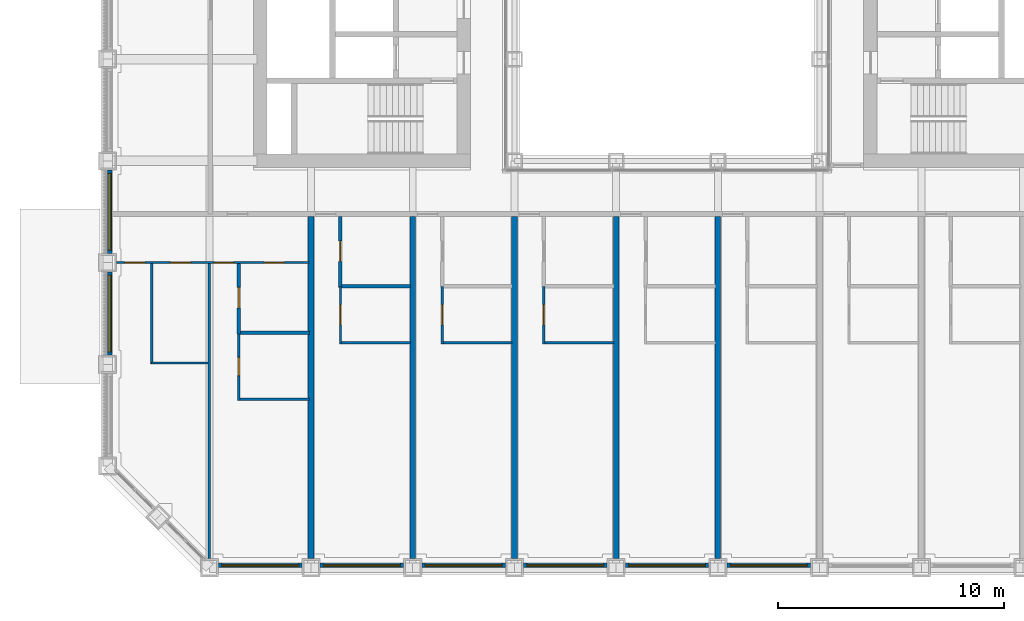
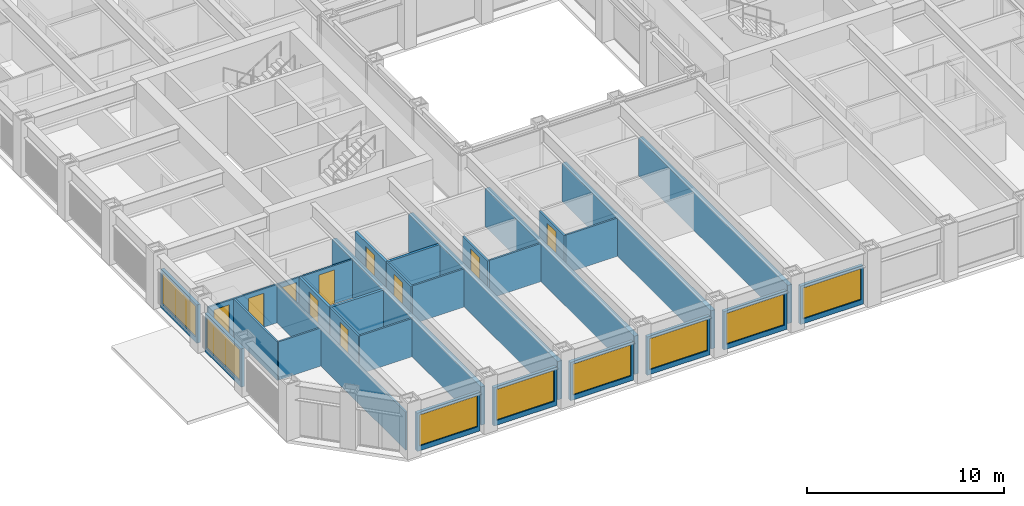
# One storey, part 12 of 24: 29 walls, 10 doors, 8 windows, 18 openings.
"""IFC4 building model written with IfcOpenShell, lengths in metres."""

from ifc_helpers import new_model, si_unit, direction, frame, frame_2d, origin, place, context, subcontext, project, spatial, rectangle, extrude, material, layer, layer_set, type_object, element, fill, save


model = new_model("IFC4")

# Units and contexts
model_context = context("Model", 3, precision=1e-05, world=origin(), true_north=direction((0.0, 1.0)))
body_context = subcontext(model_context, "Body", "Model", "MODEL_VIEW")
ifc_project = project(units=[si_unit("LENGTHUNIT", "METRE"), si_unit("AREAUNIT", "SQUARE_METRE"), si_unit("VOLUMEUNIT", "CUBIC_METRE"), si_unit("PLANEANGLEUNIT", "RADIAN"), si_unit("MASSUNIT", "GRAM", prefix="KILO")], contexts=[model_context])

# Site, building, storey
site_placement = place(None, origin())
site = spatial("IfcSite", under=ifc_project, at=site_placement, CompositionType="ELEMENT")
building_placement = place(site_placement, origin())
building = spatial("IfcBuilding", under=site, at=building_placement, Name="Msasa Ring Tower", CompositionType="ELEMENT")
storey_placement = place(building_placement, frame((0.0, 0.0, 26.5)))
storey = spatial("IfcBuildingStorey", under=building, at=storey_placement, Name="L05", CompositionType="ELEMENT", Elevation=26.5)

# Wall, opening, window
ifc_material_1 = material(Name="Terracotta rainscreen on blockwork", Category="masonry")
ifc_layer_1 = layer(ifc_material_1, 0.199951171875)
ifc_layer_set_1 = layer_set([ifc_layer_1], Name="FW1 TERRACOTTA-LINED INFILL BAY WALL 200")
wall_type_1 = type_object("IfcWallType", Name="FW1 TERRACOTTA-LINED INFILL BAY WALL 200", PredefinedType="SOLIDWALL", material=ifc_layer_set_1)
wall_1_placement = place(storey_placement, frame((-19.844970703125, -24.64990234375, 0.0), z_axis=(0.0, 0.0, 1.0), x_axis=(1.0, 0.0, 0.0)))
wall_1 = element("IfcWall", 1, at=wall_1_placement, inside=storey, type_object=wall_type_1, Name="Infill bay wall S L05 00", PredefinedType="SOLIDWALL", context=body_context, shape_type="SweptSolid", body=[
    extrude(rectangle(XDim=3.68994140625, YDim=0.199951171875, at=frame_2d((1.844970703125, 0.0))), origin(), (0.0, 0.0, 1.0), 2.37890625),
])
opening_1_placement = place(wall_1_placement, frame((0.14501953125, 0.0, 0.300048828125)))
opening_1 = element("IfcOpeningElement", 2, at=opening_1_placement, cuts=wall_1, Name="Opening WN1", PredefinedType="OPENING", context=body_context, shape_type="SweptSolid", body=[
    extrude(rectangle(XDim=3.39990234375, YDim=1.928955078125, at=frame_2d((1.699951171875, 0.96435546875))), frame((0.0, 0.10986328125, 0.0), z_axis=(0.0, -1.0, 0.0), x_axis=(1.0, 0.0, 0.0)), (0.0, 0.0, 1.0), 0.219970703125),
])
ifc_material_2 = material(Name="Aluminium frame with clear glass", Category="aluminium")
window_type = type_object("IfcWindowType", Name="WN1 RESIDENCE WINDOW 3400x1929", PartitioningType="SINGLE_PANEL", PredefinedType="WINDOW", material=ifc_material_2)
window_1_placement = place(opening_1_placement, origin())
window_1 = element("IfcWindow", 3, at=window_1_placement, inside=storey, type_object=window_type, Name="Window S L05 00", OverallHeight=1.928955078125, OverallWidth=3.39990234375, PartitioningType="SINGLE_PANEL", PredefinedType="WINDOW", context=body_context, shape_type="SweptSolid", body=[
    extrude(rectangle(XDim=3.39990234375, YDim=1.928955078125, at=frame_2d((1.699951171875, 0.96435546875))), frame((0.0, 0.030029296875, 0.0), z_axis=(0.0, -1.0, 0.0), x_axis=(1.0, 0.0, 0.0)), (0.0, 0.0, 1.0), 0.06005859375),
])
fill(opening_1, window_1)

wall_2_placement = place(storey_placement, frame((-15.344970703125, -24.64990234375, 0.0), z_axis=(0.0, 0.0, 1.0), x_axis=(1.0, 0.0, 0.0)))
wall_2 = element("IfcWall", 4, at=wall_2_placement, inside=storey, type_object=wall_type_1, Name="Infill bay wall S L05 01", PredefinedType="SOLIDWALL", context=body_context, shape_type="SweptSolid", body=[
    extrude(rectangle(XDim=3.68994140625, YDim=0.199951171875, at=frame_2d((1.844970703125, 0.0))), origin(), (0.0, 0.0, 1.0), 2.37890625),
])
opening_2_placement = place(wall_2_placement, frame((0.14501953125, 0.0, 0.300048828125)))
opening_2 = element("IfcOpeningElement", 5, at=opening_2_placement, cuts=wall_2, Name="Opening WN1", PredefinedType="OPENING", context=body_context, shape_type="SweptSolid", body=[
    extrude(rectangle(XDim=3.39990234375, YDim=1.928955078125, at=frame_2d((1.699951171875, 0.96435546875))), frame((0.0, 0.10986328125, 0.0), z_axis=(0.0, -1.0, 0.0), x_axis=(1.0, 0.0, 0.0)), (0.0, 0.0, 1.0), 0.219970703125),
])
window_2_placement = place(opening_2_placement, origin())
window_2 = element("IfcWindow", 6, at=window_2_placement, inside=storey, type_object=window_type, Name="Window S L05 01", OverallHeight=1.928955078125, OverallWidth=3.39990234375, PartitioningType="SINGLE_PANEL", PredefinedType="WINDOW", context=body_context, shape_type="SweptSolid", body=[
    extrude(rectangle(XDim=3.39990234375, YDim=1.928955078125, at=frame_2d((1.699951171875, 0.96435546875))), frame((0.0, 0.030029296875, 0.0), z_axis=(0.0, -1.0, 0.0), x_axis=(1.0, 0.0, 0.0)), (0.0, 0.0, 1.0), 0.06005859375),
])
fill(opening_2, window_2)

wall_3_placement = place(storey_placement, frame((-10.844970703125, -24.64990234375, 0.0), z_axis=(0.0, 0.0, 1.0), x_axis=(1.0, 0.0, 0.0)))
wall_3 = element("IfcWall", 7, at=wall_3_placement, inside=storey, type_object=wall_type_1, Name="Infill bay wall S L05 02", PredefinedType="SOLIDWALL", context=body_context, shape_type="SweptSolid", body=[
    extrude(rectangle(XDim=3.68994140625, YDim=0.199951171875, at=frame_2d((1.844970703125, 0.0))), origin(), (0.0, 0.0, 1.0), 2.37890625),
])
opening_3_placement = place(wall_3_placement, frame((0.14501953125, 0.0, 0.300048828125)))
opening_3 = element("IfcOpeningElement", 8, at=opening_3_placement, cuts=wall_3, Name="Opening WN1", PredefinedType="OPENING", context=body_context, shape_type="SweptSolid", body=[
    extrude(rectangle(XDim=3.39990234375, YDim=1.928955078125, at=frame_2d((1.699951171875, 0.96435546875))), frame((0.0, 0.10986328125, 0.0), z_axis=(0.0, -1.0, 0.0), x_axis=(1.0, 0.0, 0.0)), (0.0, 0.0, 1.0), 0.219970703125),
])
window_3_placement = place(opening_3_placement, origin())
window_3 = element("IfcWindow", 9, at=window_3_placement, inside=storey, type_object=window_type, Name="Window S L05 02", OverallHeight=1.928955078125, OverallWidth=3.39990234375, PartitioningType="SINGLE_PANEL", PredefinedType="WINDOW", context=body_context, shape_type="SweptSolid", body=[
    extrude(rectangle(XDim=3.39990234375, YDim=1.928955078125, at=frame_2d((1.699951171875, 0.96435546875))), frame((0.0, 0.030029296875, 0.0), z_axis=(0.0, -1.0, 0.0), x_axis=(1.0, 0.0, 0.0)), (0.0, 0.0, 1.0), 0.06005859375),
])
fill(opening_3, window_3)

wall_4_placement = place(storey_placement, frame((-6.344970703125, -24.64990234375, 0.0), z_axis=(0.0, 0.0, 1.0), x_axis=(1.0, 0.0, 0.0)))
wall_4 = element("IfcWall", 10, at=wall_4_placement, inside=storey, type_object=wall_type_1, Name="Infill bay wall S L05 03", PredefinedType="SOLIDWALL", context=body_context, shape_type="SweptSolid", body=[
    extrude(rectangle(XDim=3.68994140625, YDim=0.199951171875, at=frame_2d((1.844970703125, 0.0))), origin(), (0.0, 0.0, 1.0), 2.37890625),
])
opening_4_placement = place(wall_4_placement, frame((0.14501953125, 0.0, 0.300048828125)))
opening_4 = element("IfcOpeningElement", 11, at=opening_4_placement, cuts=wall_4, Name="Opening WN1", PredefinedType="OPENING", context=body_context, shape_type="SweptSolid", body=[
    extrude(rectangle(XDim=3.39990234375, YDim=1.928955078125, at=frame_2d((1.699951171875, 0.96435546875))), frame((0.0, 0.10986328125, 0.0), z_axis=(0.0, -1.0, 0.0), x_axis=(1.0, 0.0, 0.0)), (0.0, 0.0, 1.0), 0.219970703125),
])
window_4_placement = place(opening_4_placement, origin())
window_4 = element("IfcWindow", 12, at=window_4_placement, inside=storey, type_object=window_type, Name="Window S L05 03", OverallHeight=1.928955078125, OverallWidth=3.39990234375, PartitioningType="SINGLE_PANEL", PredefinedType="WINDOW", context=body_context, shape_type="SweptSolid", body=[
    extrude(rectangle(XDim=3.39990234375, YDim=1.928955078125, at=frame_2d((1.699951171875, 0.96435546875))), frame((0.0, 0.030029296875, 0.0), z_axis=(0.0, -1.0, 0.0), x_axis=(1.0, 0.0, 0.0)), (0.0, 0.0, 1.0), 0.06005859375),
])
fill(opening_4, window_4)

wall_5_placement = place(storey_placement, frame((-1.844970703125, -24.64990234375, 0.0), z_axis=(0.0, 0.0, 1.0), x_axis=(1.0, 0.0, 0.0)))
wall_5 = element("IfcWall", 13, at=wall_5_placement, inside=storey, type_object=wall_type_1, Name="Infill bay wall S L05 04", PredefinedType="SOLIDWALL", context=body_context, shape_type="SweptSolid", body=[
    extrude(rectangle(XDim=3.68994140625, YDim=0.199951171875, at=frame_2d((1.844970703125, 0.0))), origin(), (0.0, 0.0, 1.0), 2.37890625),
])
opening_5_placement = place(wall_5_placement, frame((0.14501953125, 0.0, 0.300048828125)))
opening_5 = element("IfcOpeningElement", 14, at=opening_5_placement, cuts=wall_5, Name="Opening WN1", PredefinedType="OPENING", context=body_context, shape_type="SweptSolid", body=[
    extrude(rectangle(XDim=3.39990234375, YDim=1.928955078125, at=frame_2d((1.699951171875, 0.96435546875))), frame((0.0, 0.10986328125, 0.0), z_axis=(0.0, -1.0, 0.0), x_axis=(1.0, 0.0, 0.0)), (0.0, 0.0, 1.0), 0.219970703125),
])
window_5_placement = place(opening_5_placement, origin())
window_5 = element("IfcWindow", 15, at=window_5_placement, inside=storey, type_object=window_type, Name="Window S L05 04", OverallHeight=1.928955078125, OverallWidth=3.39990234375, PartitioningType="SINGLE_PANEL", PredefinedType="WINDOW", context=body_context, shape_type="SweptSolid", body=[
    extrude(rectangle(XDim=3.39990234375, YDim=1.928955078125, at=frame_2d((1.699951171875, 0.96435546875))), frame((0.0, 0.030029296875, 0.0), z_axis=(0.0, -1.0, 0.0), x_axis=(1.0, 0.0, 0.0)), (0.0, 0.0, 1.0), 0.06005859375),
])
fill(opening_5, window_5)

wall_6_placement = place(storey_placement, frame((2.655029296875, -24.64990234375, 0.0), z_axis=(0.0, 0.0, 1.0), x_axis=(1.0, 0.0, 0.0)))
wall_6 = element("IfcWall", 16, at=wall_6_placement, inside=storey, type_object=wall_type_1, Name="Infill bay wall S L05 05", PredefinedType="SOLIDWALL", context=body_context, shape_type="SweptSolid", body=[
    extrude(rectangle(XDim=3.68994140625, YDim=0.199951171875, at=frame_2d((1.844970703125, 0.0))), origin(), (0.0, 0.0, 1.0), 2.37890625),
])
opening_6_placement = place(wall_6_placement, frame((0.14501953125, 0.0, 0.300048828125)))
opening_6 = element("IfcOpeningElement", 17, at=opening_6_placement, cuts=wall_6, Name="Opening WN1", PredefinedType="OPENING", context=body_context, shape_type="SweptSolid", body=[
    extrude(rectangle(XDim=3.39990234375, YDim=1.928955078125, at=frame_2d((1.699951171875, 0.96435546875))), frame((0.0, 0.10986328125, 0.0), z_axis=(0.0, -1.0, 0.0), x_axis=(1.0, 0.0, 0.0)), (0.0, 0.0, 1.0), 0.219970703125),
])
window_6_placement = place(opening_6_placement, origin())
window_6 = element("IfcWindow", 18, at=window_6_placement, inside=storey, type_object=window_type, Name="Window S L05 05", OverallHeight=1.928955078125, OverallWidth=3.39990234375, PartitioningType="SINGLE_PANEL", PredefinedType="WINDOW", context=body_context, shape_type="SweptSolid", body=[
    extrude(rectangle(XDim=3.39990234375, YDim=1.928955078125, at=frame_2d((1.699951171875, 0.96435546875))), frame((0.0, 0.030029296875, 0.0), z_axis=(0.0, -1.0, 0.0), x_axis=(1.0, 0.0, 0.0)), (0.0, 0.0, 1.0), 0.06005859375),
])
fill(opening_6, window_6)

wall_7_placement = place(storey_placement, frame((-24.64990234375, -15.344970703125, 0.0), z_axis=(0.0, 0.0, 1.0), x_axis=(0.0, 1.0, 0.0)))
wall_7 = element("IfcWall", 19, at=wall_7_placement, inside=storey, type_object=wall_type_1, Name="Infill bay wall W L05 34", PredefinedType="SOLIDWALL", context=body_context, shape_type="SweptSolid", body=[
    extrude(rectangle(XDim=3.68994140625, YDim=0.199951171875, at=frame_2d((1.844970703125, 0.0))), origin(), (0.0, 0.0, 1.0), 2.37890625),
])
opening_7_placement = place(wall_7_placement, frame((0.14501953125, 0.0, 0.300048828125)))
opening_7 = element("IfcOpeningElement", 20, at=opening_7_placement, cuts=wall_7, Name="Opening WN1", PredefinedType="OPENING", context=body_context, shape_type="SweptSolid", body=[
    extrude(rectangle(XDim=3.39990234375, YDim=1.928955078125, at=frame_2d((1.699951171875, 0.96435546875))), frame((0.0, 0.10986328125, 0.0), z_axis=(0.0, -1.0, 0.0), x_axis=(1.0, 0.0, 0.0)), (0.0, 0.0, 1.0), 0.219970703125),
])
window_7_placement = place(opening_7_placement, origin())
window_7 = element("IfcWindow", 21, at=window_7_placement, inside=storey, type_object=window_type, Name="Window W L05 34", OverallHeight=1.928955078125, OverallWidth=3.39990234375, PartitioningType="SINGLE_PANEL", PredefinedType="WINDOW", context=body_context, shape_type="SweptSolid", body=[
    extrude(rectangle(XDim=3.39990234375, YDim=1.928955078125, at=frame_2d((1.699951171875, 0.96435546875))), frame((0.0, 0.030029296875, 0.0), z_axis=(0.0, -1.0, 0.0), x_axis=(1.0, 0.0, 0.0)), (0.0, 0.0, 1.0), 0.06005859375),
])
fill(opening_7, window_7)

wall_8_placement = place(storey_placement, frame((-24.64990234375, -10.844970703125, 0.0), z_axis=(0.0, 0.0, 1.0), x_axis=(0.0, 1.0, 0.0)))
wall_8 = element("IfcWall", 22, at=wall_8_placement, inside=storey, type_object=wall_type_1, Name="Infill bay wall W L05 35", PredefinedType="SOLIDWALL", context=body_context, shape_type="SweptSolid", body=[
    extrude(rectangle(XDim=3.68994140625, YDim=0.199951171875, at=frame_2d((1.844970703125, 0.0))), origin(), (0.0, 0.0, 1.0), 2.37890625),
])
opening_8_placement = place(wall_8_placement, frame((0.14501953125, 0.0, 0.300048828125)))
opening_8 = element("IfcOpeningElement", 23, at=opening_8_placement, cuts=wall_8, Name="Opening WN1", PredefinedType="OPENING", context=body_context, shape_type="SweptSolid", body=[
    extrude(rectangle(XDim=3.39990234375, YDim=1.928955078125, at=frame_2d((1.699951171875, 0.96435546875))), frame((0.0, 0.10986328125, 0.0), z_axis=(0.0, -1.0, 0.0), x_axis=(1.0, 0.0, 0.0)), (0.0, 0.0, 1.0), 0.219970703125),
])
window_8_placement = place(opening_8_placement, origin())
window_8 = element("IfcWindow", 24, at=window_8_placement, inside=storey, type_object=window_type, Name="Window W L05 35", OverallHeight=1.928955078125, OverallWidth=3.39990234375, PartitioningType="SINGLE_PANEL", PredefinedType="WINDOW", context=body_context, shape_type="SweptSolid", body=[
    extrude(rectangle(XDim=3.39990234375, YDim=1.928955078125, at=frame_2d((1.699951171875, 0.96435546875))), frame((0.0, 0.030029296875, 0.0), z_axis=(0.0, -1.0, 0.0), x_axis=(1.0, 0.0, 0.0)), (0.0, 0.0, 1.0), 0.06005859375),
])
fill(opening_8, window_8)

# Wall, openings, doors
ifc_material_3 = material(Name="Gypsum board on steel studs", Category="steel")
ifc_layer_2 = layer(ifc_material_3, 0.10009765625)
ifc_layer_set_2 = layer_set([ifc_layer_2], Name="PT2 STUD PARTITION 100")
wall_type_2 = type_object("IfcWallType", Name="PT2 STUD PARTITION 100", PredefinedType="PARTITIONING", material=ifc_layer_set_2)
wall_9_placement = place(storey_placement, frame((-24.35009765625, -11.25, 0.0), z_axis=(0.0, 0.0, 1.0), x_axis=(1.0, 0.0, 0.0)))
wall_9 = element("IfcWall", 25, at=wall_9_placement, inside=storey, type_object=wall_type_2, Name="Partition L05-US00HY", PredefinedType="PARTITIONING", context=body_context, shape_type="SweptSolid", body=[
    extrude(rectangle(XDim=8.5, YDim=0.10009765625, at=frame_2d((4.25, 0.0))), origin(), (0.0, 0.0, 1.0), 2.373291015625),
])
opening_9_placement = place(wall_9_placement, frame((2.375, 0.0, 0.0)))
opening_9 = element("IfcOpeningElement", 26, at=opening_9_placement, cuts=wall_9, Name="Opening RA-068", PredefinedType="OPENING", context=body_context, shape_type="SweptSolid", body=[
    extrude(rectangle(XDim=0.89990234375, YDim=2.10009765625, at=frame_2d((0.449951171875, 1.050048828125))), frame((0.0, 0.06005859375, 0.0), z_axis=(0.0, -1.0, 0.0), x_axis=(1.0, 0.0, 0.0)), (0.0, 0.0, 1.0), 0.1201171875),
])
opening_10_placement = place(wall_9_placement, frame((0.35009765625, 0.0, 0.0)))
opening_10 = element("IfcOpeningElement", 27, at=opening_10_placement, cuts=wall_9, Name="Opening RA-067", PredefinedType="OPENING", context=body_context, shape_type="SweptSolid", body=[
    extrude(rectangle(XDim=0.89990234375, YDim=2.10009765625, at=frame_2d((0.449951171875, 1.050048828125))), frame((0.0, 0.06005859375, 0.0), z_axis=(0.0, -1.0, 0.0), x_axis=(1.0, 0.0, 0.0)), (0.0, 0.0, 1.0), 0.1201171875),
])
opening_11_placement = place(wall_9_placement, frame((4.324951171875, 0.0, 0.0)))
opening_11 = element("IfcOpeningElement", 28, at=opening_11_placement, cuts=wall_9, Name="Opening RA-069", PredefinedType="OPENING", context=body_context, shape_type="SweptSolid", body=[
    extrude(rectangle(XDim=0.85009765625, YDim=2.10009765625, at=frame_2d((0.425048828125, 1.050048828125))), frame((0.0, 0.06005859375, 0.0), z_axis=(0.0, -1.0, 0.0), x_axis=(1.0, 0.0, 0.0)), (0.0, 0.0, 1.0), 0.1201171875),
])
opening_12_placement = place(wall_9_placement, frame((6.52001953125, 0.0, 0.0)))
opening_12 = element("IfcOpeningElement", 29, at=opening_12_placement, cuts=wall_9, Name="Opening RA-070", PredefinedType="OPENING", context=body_context, shape_type="SweptSolid", body=[
    extrude(rectangle(XDim=0.89990234375, YDim=2.10009765625, at=frame_2d((0.449951171875, 1.050048828125))), frame((0.0, 0.06005859375, 0.0), z_axis=(0.0, -1.0, 0.0), x_axis=(1.0, 0.0, 0.0)), (0.0, 0.0, 1.0), 0.1201171875),
])
ifc_material_4 = material(Name="Timber door leaf in a steel frame", Category="steel")
door_type_1 = type_object("IfcDoorType", Name="D14 BEDROOM DOOR 850x2100", OperationType="SINGLE_SWING_LEFT", PredefinedType="DOOR", material=ifc_material_4)
door_1_placement = place(opening_11_placement, origin())
door_1 = element("IfcDoor", 30, at=door_1_placement, inside=storey, type_object=door_type_1, Name="Door L05-US00R1", OperationType="SINGLE_SWING_RIGHT", OverallHeight=2.10009765625, OverallWidth=0.85009765625, PredefinedType="DOOR", context=body_context, shape_type="SweptSolid", body=[
    extrude(rectangle(XDim=0.85009765625, YDim=2.10009765625, at=frame_2d((0.425048828125, 1.050048828125))), frame((0.0, 0.02490234375, 0.0), z_axis=(0.0, -1.0, 0.0), x_axis=(1.0, 0.0, 0.0)), (0.0, 0.0, 1.0), 0.050048828125),
])
fill(opening_11, door_1)
ifc_material_5 = material(Name="Timber door leaf in a steel frame", Category="steel")
door_type_2 = type_object("IfcDoorType", Name="D22 INTERNAL HALL DOOR 900x2100", OperationType="SINGLE_SWING_LEFT", PredefinedType="DOOR", material=ifc_material_5)
door_2_placement = place(opening_9_placement, origin())
door_2 = element("IfcDoor", 31, at=door_2_placement, inside=storey, type_object=door_type_2, Name="Door L05-US00K", OperationType="SINGLE_SWING_LEFT", OverallHeight=2.10009765625, OverallWidth=0.89990234375, PredefinedType="DOOR", context=body_context, shape_type="SweptSolid", body=[
    extrude(rectangle(XDim=0.89990234375, YDim=2.10009765625, at=frame_2d((0.449951171875, 1.050048828125))), frame((0.0, 0.02490234375, 0.0), z_axis=(0.0, -1.0, 0.0), x_axis=(1.0, 0.0, 0.0)), (0.0, 0.0, 1.0), 0.050048828125),
])
fill(opening_9, door_2)
door_3_placement = place(opening_10_placement, origin())
door_3 = element("IfcDoor", 32, at=door_3_placement, inside=storey, type_object=door_type_2, Name="Door L05-US00L", OperationType="SINGLE_SWING_LEFT", OverallHeight=2.10009765625, OverallWidth=0.89990234375, PredefinedType="DOOR", context=body_context, shape_type="SweptSolid", body=[
    extrude(rectangle(XDim=0.89990234375, YDim=2.10009765625, at=frame_2d((0.449951171875, 1.050048828125))), frame((0.0, 0.02490234375, 0.0), z_axis=(0.0, -1.0, 0.0), x_axis=(1.0, 0.0, 0.0)), (0.0, 0.0, 1.0), 0.050048828125),
])
fill(opening_10, door_3)
ifc_material_6 = material(Name="Timber door leaf in a steel frame", Category="steel")
door_type_3 = type_object("IfcDoorType", Name="D3 BATHROOM DOOR 900x2100", OperationType="SINGLE_SWING_LEFT", PredefinedType="DOOR", material=ifc_material_6)
door_4_placement = place(opening_12_placement, origin())
door_4 = element("IfcDoor", 33, at=door_4_placement, inside=storey, type_object=door_type_3, Name="Door L05-US00BH1", OperationType="SINGLE_SWING_RIGHT", OverallHeight=2.10009765625, OverallWidth=0.89990234375, PredefinedType="DOOR", context=body_context, shape_type="SweptSolid", body=[
    extrude(rectangle(XDim=0.89990234375, YDim=2.10009765625, at=frame_2d((0.449951171875, 1.050048828125))), frame((0.0, 0.02490234375, 0.0), z_axis=(0.0, -1.0, 0.0), x_axis=(1.0, 0.0, 0.0)), (0.0, 0.0, 1.0), 0.050048828125),
])
fill(opening_12, door_4)

# Walls
wall_10_placement = place(storey_placement, frame((-22.800048828125, -15.7421875, 0.0), z_axis=(0.0, 0.0, 1.0), x_axis=(0.0, 1.0, 0.0)))
element("IfcWall", 34, at=wall_10_placement, inside=storey, type_object=wall_type_2, Name="Partition L05-US00KX", PredefinedType="PARTITIONING", context=body_context, shape_type="SweptSolid", body=[
    extrude(rectangle(XDim=4.442138671875, YDim=0.10009765625, at=frame_2d((2.22119140625, 0.0))), origin(), (0.0, 0.0, 1.0), 2.373291015625),
])
wall_11_placement = place(storey_placement, frame((-22.800048828125, -15.692138671875, 0.0), z_axis=(0.0, 0.0, 1.0), x_axis=(1.0, 0.0, 0.0)))
element("IfcWall", 35, at=wall_11_placement, inside=storey, type_object=wall_type_2, Name="Partition L05-US00KY", PredefinedType="PARTITIONING", context=body_context, shape_type="SweptSolid", body=[
    extrude(rectangle(XDim=2.5, YDim=0.10009765625, at=frame_2d((1.25, 0.0))), origin(), (0.0, 0.0, 1.0), 2.373291015625),
])
wall_12_placement = place(storey_placement, frame((-20.25, -24.35009765625, 0.0), z_axis=(0.0, 0.0, 1.0), x_axis=(0.0, 1.0, 0.0)))
element("IfcWall", 36, at=wall_12_placement, inside=storey, type_object=wall_type_2, Name="Partition L05-US00P1", PredefinedType="PARTITIONING", context=body_context, shape_type="SweptSolid", body=[
    extrude(rectangle(XDim=13.050048828125, YDim=0.10009765625, at=frame_2d((6.52490234375, 0.0))), origin(), (0.0, 0.0, 1.0), 2.373291015625),
])

# Wall, opening, door
wall_13_placement = place(storey_placement, frame((-18.949951171875, -17.3408203125, 0.0), z_axis=(0.0, 0.0, 1.0), x_axis=(0.0, 1.0, 0.0)))
wall_13 = element("IfcWall", 37, at=wall_13_placement, inside=storey, type_object=wall_type_2, Name="Partition L05-US00WX1", PredefinedType="PARTITIONING", context=body_context, shape_type="SweptSolid", body=[
    extrude(rectangle(XDim=2.94091796875, YDim=0.10009765625, at=frame_2d((1.470458984375, 0.0))), origin(), (0.0, 0.0, 1.0), 2.373291015625),
])
opening_13_placement = place(wall_13_placement, frame((1.095458984375, 0.0, 0.0)))
opening_13 = element("IfcOpeningElement", 38, at=opening_13_placement, cuts=wall_13, Name="Opening RA-084", PredefinedType="OPENING", context=body_context, shape_type="SweptSolid", body=[
    extrude(rectangle(XDim=0.800048828125, YDim=2.10009765625, at=frame_2d((0.39990234375, 1.050048828125))), frame((0.0, 0.06005859375, 0.0), z_axis=(0.0, -1.0, 0.0), x_axis=(1.0, 0.0, 0.0)), (0.0, 0.0, 1.0), 0.1201171875),
])
ifc_material_7 = material(Name="Timber door leaf in a steel frame", Category="steel")
door_type_4 = type_object("IfcDoorType", Name="D60 DRESSING ROOM DOOR 800x2100", OperationType="SINGLE_SWING_LEFT", PredefinedType="DOOR", material=ifc_material_7)
door_5_placement = place(opening_13_placement, origin())
door_5 = element("IfcDoor", 39, at=door_5_placement, inside=storey, type_object=door_type_4, Name="Door L05-US00W1", OperationType="SINGLE_SWING_LEFT", OverallHeight=2.10009765625, OverallWidth=0.800048828125, PredefinedType="DOOR", context=body_context, shape_type="SweptSolid", body=[
    extrude(rectangle(XDim=0.800048828125, YDim=2.10009765625, at=frame_2d((0.39990234375, 1.050048828125))), frame((0.0, 0.02490234375, 0.0), z_axis=(0.0, -1.0, 0.0), x_axis=(1.0, 0.0, 0.0)), (0.0, 0.0, 1.0), 0.050048828125),
])
fill(opening_13, door_5)

# Walls
wall_14_placement = place(storey_placement, frame((-18.949951171875, -17.291015625, 0.0), z_axis=(0.0, 0.0, 1.0), x_axis=(1.0, 0.0, 0.0)))
element("IfcWall", 40, at=wall_14_placement, inside=storey, type_object=wall_type_2, Name="Partition L05-US00WY1", PredefinedType="PARTITIONING", context=body_context, shape_type="SweptSolid", body=[
    extrude(rectangle(XDim=3.139892578125, YDim=0.10009765625, at=frame_2d((1.56982421875, 0.0))), origin(), (0.0, 0.0, 1.0), 2.373291015625),
])
wall_15_placement = place(storey_placement, frame((-14.39990234375, -14.800048828125, 0.0), z_axis=(0.0, 0.0, 1.0), x_axis=(1.0, 0.0, 0.0)))
element("IfcWall", 41, at=wall_15_placement, inside=storey, type_object=wall_type_2, Name="Partition L05-US01KY", PredefinedType="PARTITIONING", context=body_context, shape_type="SweptSolid", body=[
    extrude(rectangle(XDim=3.0498046875, YDim=0.10009765625, at=frame_2d((1.52490234375, 0.0))), origin(), (0.0, 0.0, 1.0), 2.373291015625),
])

# Wall, opening, door
wall_16_placement = place(storey_placement, frame((-14.449951171875, -14.85009765625, 0.0), z_axis=(0.0, 0.0, 1.0), x_axis=(0.0, 1.0, 0.0)))
wall_16 = element("IfcWall", 42, at=wall_16_placement, inside=storey, type_object=wall_type_2, Name="Partition L05-US01KX", PredefinedType="PARTITIONING", context=body_context, shape_type="SweptSolid", body=[
    extrude(rectangle(XDim=2.550048828125, YDim=0.10009765625, at=frame_2d((1.27490234375, 0.0))), origin(), (0.0, 0.0, 1.0), 2.373291015625),
])
opening_14_placement = place(wall_16_placement, frame((0.840087890625, 0.0, 0.0)))
opening_14 = element("IfcOpeningElement", 43, at=opening_14_placement, cuts=wall_16, Name="Opening RA-077", PredefinedType="OPENING", context=body_context, shape_type="SweptSolid", body=[
    extrude(rectangle(XDim=0.89990234375, YDim=2.10009765625, at=frame_2d((0.449951171875, 1.050048828125))), frame((0.0, 0.06005859375, 0.0), z_axis=(0.0, -1.0, 0.0), x_axis=(1.0, 0.0, 0.0)), (0.0, 0.0, 1.0), 0.1201171875),
])
door_6_placement = place(opening_14_placement, origin())
door_6 = element("IfcDoor", 44, at=door_6_placement, inside=storey, type_object=door_type_2, Name="Door L05-US01K", OperationType="SINGLE_SWING_LEFT", OverallHeight=2.10009765625, OverallWidth=0.89990234375, PredefinedType="DOOR", context=body_context, shape_type="SweptSolid", body=[
    extrude(rectangle(XDim=0.89990234375, YDim=2.10009765625, at=frame_2d((0.449951171875, 1.050048828125))), frame((0.0, 0.02490234375, 0.0), z_axis=(0.0, -1.0, 0.0), x_axis=(1.0, 0.0, 0.0)), (0.0, 0.0, 1.0), 0.050048828125),
])
fill(opening_14, door_6)

# Wall
wall_17_placement = place(storey_placement, frame((-9.89990234375, -14.800048828125, 0.0), z_axis=(0.0, 0.0, 1.0), x_axis=(1.0, 0.0, 0.0)))
element("IfcWall", 45, at=wall_17_placement, inside=storey, type_object=wall_type_2, Name="Partition L05-US02KY", PredefinedType="PARTITIONING", context=body_context, shape_type="SweptSolid", body=[
    extrude(rectangle(XDim=3.0498046875, YDim=0.10009765625, at=frame_2d((1.52490234375, 0.0))), origin(), (0.0, 0.0, 1.0), 2.373291015625),
])

# Wall, opening, door
wall_18_placement = place(storey_placement, frame((-9.949951171875, -14.85009765625, 0.0), z_axis=(0.0, 0.0, 1.0), x_axis=(0.0, 1.0, 0.0)))
wall_18 = element("IfcWall", 46, at=wall_18_placement, inside=storey, type_object=wall_type_2, Name="Partition L05-US02KX", PredefinedType="PARTITIONING", context=body_context, shape_type="SweptSolid", body=[
    extrude(rectangle(XDim=2.550048828125, YDim=0.10009765625, at=frame_2d((1.27490234375, 0.0))), origin(), (0.0, 0.0, 1.0), 2.373291015625),
])
opening_15_placement = place(wall_18_placement, frame((0.840087890625, 0.0, 0.0)))
opening_15 = element("IfcOpeningElement", 47, at=opening_15_placement, cuts=wall_18, Name="Opening RA-078", PredefinedType="OPENING", context=body_context, shape_type="SweptSolid", body=[
    extrude(rectangle(XDim=0.89990234375, YDim=2.10009765625, at=frame_2d((0.449951171875, 1.050048828125))), frame((0.0, 0.06005859375, 0.0), z_axis=(0.0, -1.0, 0.0), x_axis=(1.0, 0.0, 0.0)), (0.0, 0.0, 1.0), 0.1201171875),
])
door_7_placement = place(opening_15_placement, origin())
door_7 = element("IfcDoor", 48, at=door_7_placement, inside=storey, type_object=door_type_2, Name="Door L05-US02K", OperationType="SINGLE_SWING_LEFT", OverallHeight=2.10009765625, OverallWidth=0.89990234375, PredefinedType="DOOR", context=body_context, shape_type="SweptSolid", body=[
    extrude(rectangle(XDim=0.89990234375, YDim=2.10009765625, at=frame_2d((0.449951171875, 1.050048828125))), frame((0.0, 0.02490234375, 0.0), z_axis=(0.0, -1.0, 0.0), x_axis=(1.0, 0.0, 0.0)), (0.0, 0.0, 1.0), 0.050048828125),
])
fill(opening_15, door_7)

# Wall
wall_19_placement = place(storey_placement, frame((-5.39990234375, -14.800048828125, 0.0), z_axis=(0.0, 0.0, 1.0), x_axis=(1.0, 0.0, 0.0)))
element("IfcWall", 49, at=wall_19_placement, inside=storey, type_object=wall_type_2, Name="Partition L05-US03KY", PredefinedType="PARTITIONING", context=body_context, shape_type="SweptSolid", body=[
    extrude(rectangle(XDim=3.0498046875, YDim=0.10009765625, at=frame_2d((1.52490234375, 0.0))), origin(), (0.0, 0.0, 1.0), 2.373291015625),
])

# Wall, opening, door
wall_20_placement = place(storey_placement, frame((-5.449951171875, -14.85009765625, 0.0), z_axis=(0.0, 0.0, 1.0), x_axis=(0.0, 1.0, 0.0)))
wall_20 = element("IfcWall", 50, at=wall_20_placement, inside=storey, type_object=wall_type_2, Name="Partition L05-US03KX", PredefinedType="PARTITIONING", context=body_context, shape_type="SweptSolid", body=[
    extrude(rectangle(XDim=2.550048828125, YDim=0.10009765625, at=frame_2d((1.27490234375, 0.0))), origin(), (0.0, 0.0, 1.0), 2.373291015625),
])
opening_16_placement = place(wall_20_placement, frame((0.840087890625, 0.0, 0.0)))
opening_16 = element("IfcOpeningElement", 51, at=opening_16_placement, cuts=wall_20, Name="Opening RA-079", PredefinedType="OPENING", context=body_context, shape_type="SweptSolid", body=[
    extrude(rectangle(XDim=0.89990234375, YDim=2.10009765625, at=frame_2d((0.449951171875, 1.050048828125))), frame((0.0, 0.06005859375, 0.0), z_axis=(0.0, -1.0, 0.0), x_axis=(1.0, 0.0, 0.0)), (0.0, 0.0, 1.0), 0.1201171875),
])
door_8_placement = place(opening_16_placement, origin())
door_8 = element("IfcDoor", 52, at=door_8_placement, inside=storey, type_object=door_type_2, Name="Door L05-US03K", OperationType="SINGLE_SWING_LEFT", OverallHeight=2.10009765625, OverallWidth=0.89990234375, PredefinedType="DOOR", context=body_context, shape_type="SweptSolid", body=[
    extrude(rectangle(XDim=0.89990234375, YDim=2.10009765625, at=frame_2d((0.449951171875, 1.050048828125))), frame((0.0, 0.02490234375, 0.0), z_axis=(0.0, -1.0, 0.0), x_axis=(1.0, 0.0, 0.0)), (0.0, 0.0, 1.0), 0.050048828125),
])
fill(opening_16, door_8)

# Walls
ifc_material_8 = material(Name="Dense concrete blockwork, plastered both faces", Category="masonry")
ifc_layer_3 = layer(ifc_material_8, 0.25)
ifc_layer_set_3 = layer_set([ifc_layer_3], Name="PT3 APARTMENT SEPARATING WALL 250")
wall_type_3 = type_object("IfcWallType", Name="PT3 APARTMENT SEPARATING WALL 250", PredefinedType="PARTITIONING", material=ifc_layer_set_3)
for number, where, z_axis, x_axis, name in (
    (53, (-15.75, -24.35009765625, 0.0), (0.0, 0.0, 1.0), (0.0, 1.0, 0.0), "Party wall L05-PWS-15.75"),
    (54, (-11.25, -24.35009765625, 0.0), (0.0, 0.0, 1.0), (0.0, 1.0, 0.0), "Party wall L05-PWS-11.25"),
    (55, (-6.75, -24.35009765625, 0.0), (0.0, 0.0, 1.0), (0.0, 1.0, 0.0), "Party wall L05-PWS-6.75"),
    (56, (-2.25, -24.35009765625, 0.0), (0.0, 0.0, 1.0), (0.0, 1.0, 0.0), "Party wall L05-PWS-2.25"),
    (57, (2.25, -24.35009765625, 0.0), (0.0, 0.0, 1.0), (0.0, 1.0, 0.0), "Party wall L05-PWS+2.25"),
):
    element("IfcWall", number, at=place(storey_placement, frame(where, z_axis=z_axis, x_axis=x_axis)), inside=storey, type_object=wall_type_3, Name=name, PredefinedType="PARTITIONING", context=body_context, shape_type="SweptSolid", body=[
        extrude(rectangle(XDim=15.150146484375, YDim=0.25, at=frame_2d((7.5751953125, 0.0))), origin(), (0.0, 0.0, 1.0), 2.373291015625),
    ])

# Wall, opening, door
ifc_material_9 = material(Name="Moisture-resistant board on steel studs with a concealed cistern and pipe void, tiled", Category="steel")
ifc_layer_4 = layer(ifc_material_9, 0.14990234375)
ifc_layer_set_4 = layer_set([ifc_layer_4], Name="PT4 BATHROOM WET WALL 150")
wall_type_4 = type_object("IfcWallType", Name="PT4 BATHROOM WET WALL 150", PredefinedType="PARTITIONING", material=ifc_layer_set_4)
wall_21_placement = place(storey_placement, frame((-18.949951171875, -14.39990234375, 0.0), z_axis=(0.0, 0.0, 1.0), x_axis=(0.0, 1.0, 0.0)))
wall_21 = element("IfcWall", 58, at=wall_21_placement, inside=storey, type_object=wall_type_4, Name="Partition L05-US00BX1", PredefinedType="PARTITIONING", context=body_context, shape_type="SweptSolid", body=[
    extrude(rectangle(XDim=3.099853515625, YDim=0.14990234375, at=frame_2d((1.5498046875, 0.0))), origin(), (0.0, 0.0, 1.0), 2.373291015625),
])
opening_17_placement = place(wall_21_placement, frame((1.14990234375, 0.0, 0.0)))
opening_17 = element("IfcOpeningElement", 59, at=opening_17_placement, cuts=wall_21, Name="Opening RA-075", PredefinedType="OPENING", context=body_context, shape_type="SweptSolid", body=[
    extrude(rectangle(XDim=0.89990234375, YDim=2.10009765625, at=frame_2d((0.449951171875, 1.050048828125))), frame((0.0, 0.0849609375, 0.0), z_axis=(0.0, -1.0, 0.0), x_axis=(1.0, 0.0, 0.0)), (0.0, 0.0, 1.0), 0.169921875),
])
door_9_placement = place(opening_17_placement, origin())
door_9 = element("IfcDoor", 60, at=door_9_placement, inside=storey, type_object=door_type_3, Name="Door L05-US00B1", OperationType="SINGLE_SWING_RIGHT", OverallHeight=2.10009765625, OverallWidth=0.89990234375, PredefinedType="DOOR", context=body_context, shape_type="SweptSolid", body=[
    extrude(rectangle(XDim=0.89990234375, YDim=2.10009765625, at=frame_2d((0.449951171875, 1.050048828125))), frame((0.0, 0.02490234375, 0.0), z_axis=(0.0, -1.0, 0.0), x_axis=(1.0, 0.0, 0.0)), (0.0, 0.0, 1.0), 0.050048828125),
])
fill(opening_17, door_9)

# Wall
wall_22_placement = place(storey_placement, frame((-18.949951171875, -14.35009765625, 0.0), z_axis=(0.0, 0.0, 1.0), x_axis=(1.0, 0.0, 0.0)))
element("IfcWall", 61, at=wall_22_placement, inside=storey, type_object=wall_type_4, Name="Partition L05-US00BY1", PredefinedType="PARTITIONING", context=body_context, shape_type="SweptSolid", body=[
    extrude(rectangle(XDim=3.139892578125, YDim=0.14990234375, at=frame_2d((1.56982421875, 0.0))), origin(), (0.0, 0.0, 1.0), 2.373291015625),
])

# Wall, opening, door
wall_23_placement = place(storey_placement, frame((-14.449951171875, -12.35009765625, 0.0), z_axis=(0.0, 0.0, 1.0), x_axis=(0.0, 1.0, 0.0)))
wall_23 = element("IfcWall", 62, at=wall_23_placement, inside=storey, type_object=wall_type_4, Name="Partition L05-US01BX", PredefinedType="PARTITIONING", context=body_context, shape_type="SweptSolid", body=[
    extrude(rectangle(XDim=3.150146484375, YDim=0.14990234375, at=frame_2d((1.5751953125, 0.0))), origin(), (0.0, 0.0, 1.0), 2.373291015625),
])
opening_18_placement = place(wall_23_placement, frame((1.14990234375, 0.0, 0.0)))
opening_18 = element("IfcOpeningElement", 63, at=opening_18_placement, cuts=wall_23, Name="Opening RA-060", PredefinedType="OPENING", context=body_context, shape_type="SweptSolid", body=[
    extrude(rectangle(XDim=0.89990234375, YDim=2.10009765625, at=frame_2d((0.449951171875, 1.050048828125))), frame((0.0, 0.0849609375, 0.0), z_axis=(0.0, -1.0, 0.0), x_axis=(1.0, 0.0, 0.0)), (0.0, 0.0, 1.0), 0.169921875),
])
door_10_placement = place(opening_18_placement, origin())
door_10 = element("IfcDoor", 64, at=door_10_placement, inside=storey, type_object=door_type_3, Name="Door L05-US01B", OperationType="SINGLE_SWING_LEFT", OverallHeight=2.10009765625, OverallWidth=0.89990234375, PredefinedType="DOOR", context=body_context, shape_type="SweptSolid", body=[
    extrude(rectangle(XDim=0.89990234375, YDim=2.10009765625, at=frame_2d((0.449951171875, 1.050048828125))), frame((0.0, 0.02490234375, 0.0), z_axis=(0.0, -1.0, 0.0), x_axis=(1.0, 0.0, 0.0)), (0.0, 0.0, 1.0), 0.050048828125),
])
fill(opening_18, door_10)

# Wall
wall_24_placement = place(storey_placement, frame((-14.39990234375, -12.300048828125, 0.0), z_axis=(0.0, 0.0, 1.0), x_axis=(1.0, 0.0, 0.0)))
element("IfcWall", 65, at=wall_24_placement, inside=storey, type_object=wall_type_4, Name="Partition L05-US01BY", PredefinedType="PARTITIONING", context=body_context, shape_type="SweptSolid", body=[
    extrude(rectangle(XDim=3.0498046875, YDim=0.14990234375, at=frame_2d((1.52490234375, 0.0))), origin(), (0.0, 0.0, 1.0), 2.373291015625),
])

save(model, "model.ifc")
